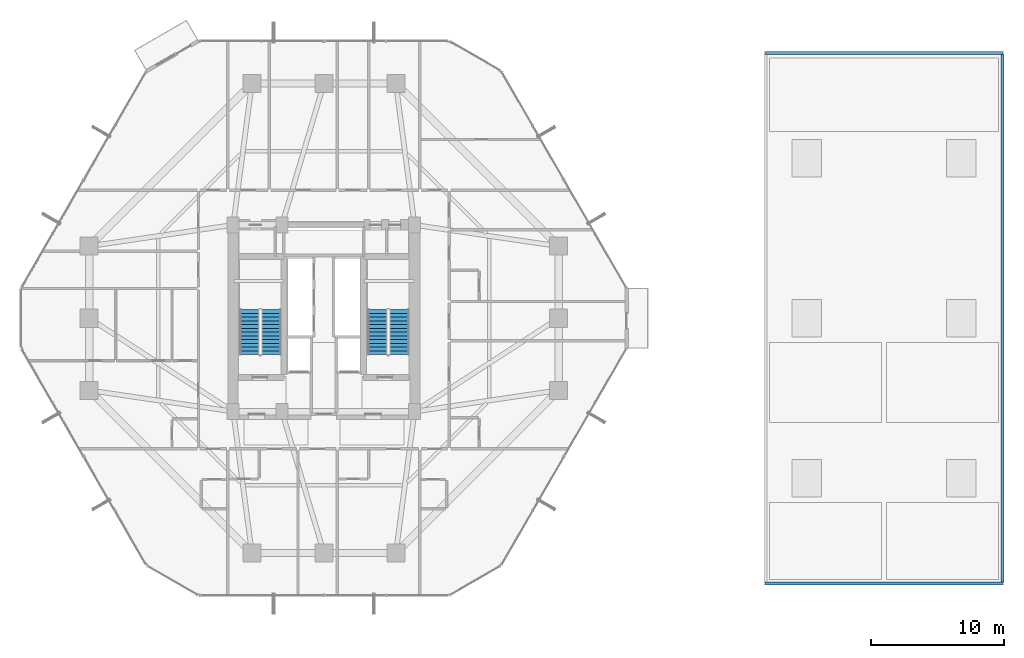
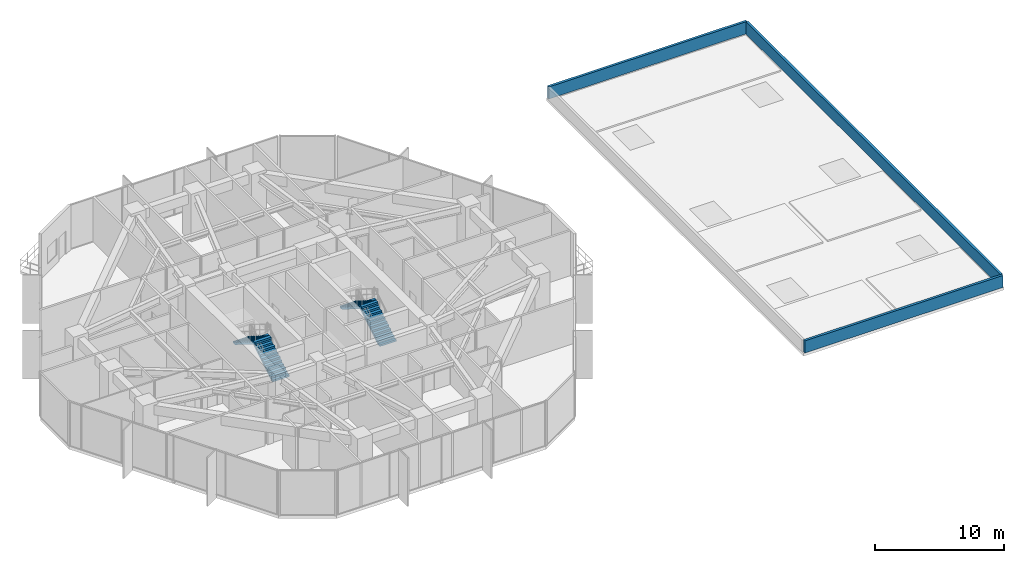
# One storey, part 36 of 39: 4 stair flights, 3 walls, 2 elements without a shape of their own.
"""IFC4 building model written with IfcOpenShell, lengths in metres."""

from ifc_helpers import new_model, si_unit, direction, frame, frame_2d, origin, place, context, subcontext, project, spatial, polyline, rectangle, outline, extrude, material, layer, layer_set, type_object, element, aggregate, save


model = new_model("IFC4")

# Units and contexts
model_context = context("Model", 3, precision=1e-05, world=origin(), true_north=direction((0.0, 1.0)))
body_context = subcontext(model_context, "Body", "Model", "MODEL_VIEW")
ifc_project = project(units=[si_unit("LENGTHUNIT", "METRE"), si_unit("AREAUNIT", "SQUARE_METRE"), si_unit("VOLUMEUNIT", "CUBIC_METRE"), si_unit("PLANEANGLEUNIT", "RADIAN"), si_unit("MASSUNIT", "GRAM", prefix="KILO")], contexts=[model_context])

# Site, building, storey
site_placement = place(None, origin())
site = spatial("IfcSite", under=ifc_project, at=site_placement, CompositionType="ELEMENT")
building_placement = place(site_placement, origin())
building = spatial("IfcBuilding", under=site, at=building_placement, Name="Veraguas Prism Commons", CompositionType="ELEMENT")
storey_placement = place(building_placement, frame((0.0, 0.0, 22.800048828125)))
storey = spatial("IfcBuildingStorey", under=building, at=storey_placement, Name="L05", CompositionType="ELEMENT", Elevation=22.800048828125)

# Walls
ifc_material_1 = material(Name="Precast concrete C40/50", Category="concrete")
ifc_layer = layer(ifc_material_1, 0.219970703125, Name="Roof and Terrace Parapet Wall 220", Category="concrete")
ifc_layer_set = layer_set([ifc_layer], Name="Precast concrete C40/50")
wall_type = type_object("IfcWallType", Name="Roof and Terrace Parapet Wall 220", PredefinedType="PARAPET", material=ifc_layer_set)
wall_1_placement = place(storey_placement, frame((57.110107421875, 4.110107421875, 0.0), z_axis=(0.0, 0.0, 1.0), x_axis=(1.0, 0.0, 0.0)))
element("IfcWall", 1, at=wall_1_placement, inside=storey, type_object=wall_type, Name="Health Centre Roof Parapet S", PredefinedType="PARAPET", context=body_context, shape_type="SweptSolid", body=[
    extrude(rectangle(XDim=17.77978515625, YDim=0.219970703125, at=frame_2d((8.889892578125, 0.0))), origin(), (0.0, 0.0, 1.0), 1.14990234375),
])
wall_2_placement = place(storey_placement, frame((74.889892578125, 4.219970703125, 0.0), z_axis=(0.0, 0.0, 1.0), x_axis=(0.0, 1.0, 0.0)))
element("IfcWall", 2, at=wall_2_placement, inside=storey, type_object=wall_type, Name="Health Centre Roof Parapet E", PredefinedType="PARAPET", context=body_context, shape_type="SweptSolid", body=[
    extrude(rectangle(XDim=39.56005859375, YDim=0.219970703125, at=frame_2d((19.780029296875, 0.0))), origin(), (0.0, 0.0, 1.0), 1.14990234375),
])
wall_3_placement = place(storey_placement, frame((74.889892578125, 43.889892578125, 0.0), z_axis=(0.0, 0.0, 1.0), x_axis=(-1.0, 0.0, 0.0)))
element("IfcWall", 3, at=wall_3_placement, inside=storey, type_object=wall_type, Name="Health Centre Roof Parapet N", PredefinedType="PARAPET", context=body_context, shape_type="SweptSolid", body=[
    extrude(rectangle(XDim=17.77978515625, YDim=0.219970703125, at=frame_2d((8.889892578125, 0.0))), origin(), (0.0, 0.0, 1.0), 1.14990234375),
])

# Stair, stair flights
ifc_material_2 = material(Name="Precast concrete C45/55", Category="concrete")
stair_type = type_object("IfcStairType", Name="Dogleg Core Stair 1480W 26R 04", PredefinedType="HALF_TURN_STAIR", material=ifc_material_2)
stair_1_placement = place(storey_placement, origin())
stair_1 = element("IfcStair", 4, at=stair_1_placement, inside=storey, type_object=stair_type, Name="Protected Exit Stair ST-01 L05", PredefinedType="HALF_TURN_STAIR")
stair_flight_type = type_object("IfcStairFlightType", Name="Precast Stair Flight 1480W 13R 04", PredefinedType="STRAIGHT", material=ifc_material_2)
stair_flight_1_placement = place(storey_placement, frame((20.06005859375, 21.280029296875, 0.0), z_axis=(0.0, 0.0, 1.0), x_axis=(0.0, 1.0, 0.0)))
stair_flight_1 = element("IfcStairFlight", 5, at=stair_flight_1_placement, type_object=stair_flight_type, Name="ST-04 Flight 1", NumberOfRisers=13, NumberOfTreads=12, PredefinedType="STRAIGHT", RiserHeight=0.173076923, TreadLength=0.28, context=body_context, shape_type="SweptSolid", body=[
    extrude(outline(polyline([(0.0, 0.0), (0.0, 0.173095703125), (0.280029296875, 0.173095703125), (0.280029296875, 0.34619140625), (0.56005859375, 0.34619140625), (0.56005859375, 0.519287109375), (0.840087890625, 0.519287109375), (0.840087890625, 0.6923828125), (1.1201171875, 0.6923828125), (1.1201171875, 0.865478515625), (1.39990234375, 0.865478515625), (1.39990234375, 1.03857421875), (1.679931640625, 1.03857421875), (1.679931640625, 1.21142578125), (1.9599609375, 1.21142578125), (1.9599609375, 1.384521484375), (2.239990234375, 1.384521484375), (2.239990234375, 1.5576171875), (2.52001953125, 1.5576171875), (2.52001953125, 1.730712890625), (2.800048828125, 1.730712890625), (2.800048828125, 1.90380859375), (3.080078125, 1.90380859375), (3.080078125, 2.076904296875), (3.360107421875, 2.076904296875), (3.360107421875, 2.25), (3.360107421875, 1.900634765625), (0.28515625, 0.0), (0.0, 0.0)])), frame((0.0, 0.739990234375, 0.0), z_axis=(0.0, -1.0, 0.0), x_axis=(1.0, 0.0, 0.0)), (0.0, 0.0, 1.0), 1.47998046875),
])
stair_flight_2_placement = place(storey_placement, frame((18.429931640625, 24.639892578125, 2.25), z_axis=(0.0, 0.0, 1.0), x_axis=(0.0, -1.0, 0.0)))
stair_flight_2 = element("IfcStairFlight", 6, at=stair_flight_2_placement, type_object=stair_flight_type, Name="ST-04 Flight 2", NumberOfRisers=13, NumberOfTreads=12, PredefinedType="STRAIGHT", RiserHeight=0.173076923, TreadLength=0.28, context=body_context, shape_type="SweptSolid", body=[
    extrude(outline(polyline([(0.0, 0.0), (0.0, 0.173095703125), (0.280029296875, 0.173095703125), (0.280029296875, 0.34619140625), (0.56005859375, 0.34619140625), (0.56005859375, 0.519287109375), (0.840087890625, 0.519287109375), (0.840087890625, 0.6923828125), (1.1201171875, 0.6923828125), (1.1201171875, 0.865478515625), (1.39990234375, 0.865478515625), (1.39990234375, 1.03857421875), (1.679931640625, 1.03857421875), (1.679931640625, 1.21142578125), (1.9599609375, 1.21142578125), (1.9599609375, 1.384521484375), (2.239990234375, 1.384521484375), (2.239990234375, 1.5576171875), (2.52001953125, 1.5576171875), (2.52001953125, 1.730712890625), (2.800048828125, 1.730712890625), (2.800048828125, 1.90380859375), (3.080078125, 1.90380859375), (3.080078125, 2.076904296875), (3.360107421875, 2.076904296875), (3.360107421875, 2.25), (3.360107421875, 1.900634765625), (0.28515625, 0.0), (0.0, 0.0)])), frame((0.0, 0.739990234375, 0.0), z_axis=(0.0, -1.0, 0.0), x_axis=(1.0, 0.0, 0.0)), (0.0, 0.0, 1.0), 1.47998046875),
])
aggregate(stair_1, [stair_flight_1, stair_flight_2])

stair_2_placement = place(storey_placement, origin())
stair_2 = element("IfcStair", 7, at=stair_2_placement, inside=storey, type_object=stair_type, Name="Protected Exit Stair ST-02 L05", PredefinedType="HALF_TURN_STAIR")
stair_flight_3_placement = place(storey_placement, frame((29.659912109375, 21.280029296875, 0.0), z_axis=(0.0, 0.0, 1.0), x_axis=(0.0, 1.0, 0.0)))
stair_flight_3 = element("IfcStairFlight", 8, at=stair_flight_3_placement, type_object=stair_flight_type, Name="ST-04 Flight 1", NumberOfRisers=13, NumberOfTreads=12, PredefinedType="STRAIGHT", RiserHeight=0.173076923, TreadLength=0.28, context=body_context, shape_type="SweptSolid", body=[
    extrude(outline(polyline([(0.0, 0.0), (0.0, 0.173095703125), (0.280029296875, 0.173095703125), (0.280029296875, 0.34619140625), (0.56005859375, 0.34619140625), (0.56005859375, 0.519287109375), (0.840087890625, 0.519287109375), (0.840087890625, 0.6923828125), (1.1201171875, 0.6923828125), (1.1201171875, 0.865478515625), (1.39990234375, 0.865478515625), (1.39990234375, 1.03857421875), (1.679931640625, 1.03857421875), (1.679931640625, 1.21142578125), (1.9599609375, 1.21142578125), (1.9599609375, 1.384521484375), (2.239990234375, 1.384521484375), (2.239990234375, 1.5576171875), (2.52001953125, 1.5576171875), (2.52001953125, 1.730712890625), (2.800048828125, 1.730712890625), (2.800048828125, 1.90380859375), (3.080078125, 1.90380859375), (3.080078125, 2.076904296875), (3.360107421875, 2.076904296875), (3.360107421875, 2.25), (3.360107421875, 1.900634765625), (0.28515625, 0.0), (0.0, 0.0)])), frame((0.0, 0.739990234375, 0.0), z_axis=(0.0, -1.0, 0.0), x_axis=(1.0, 0.0, 0.0)), (0.0, 0.0, 1.0), 1.47998046875),
])
stair_flight_4_placement = place(storey_placement, frame((28.030029296875, 24.639892578125, 2.25), z_axis=(0.0, 0.0, 1.0), x_axis=(0.0, -1.0, 0.0)))
stair_flight_4 = element("IfcStairFlight", 9, at=stair_flight_4_placement, type_object=stair_flight_type, Name="ST-04 Flight 2", NumberOfRisers=13, NumberOfTreads=12, PredefinedType="STRAIGHT", RiserHeight=0.173076923, TreadLength=0.28, context=body_context, shape_type="SweptSolid", body=[
    extrude(outline(polyline([(0.0, 0.0), (0.0, 0.173095703125), (0.280029296875, 0.173095703125), (0.280029296875, 0.34619140625), (0.56005859375, 0.34619140625), (0.56005859375, 0.519287109375), (0.840087890625, 0.519287109375), (0.840087890625, 0.6923828125), (1.1201171875, 0.6923828125), (1.1201171875, 0.865478515625), (1.39990234375, 0.865478515625), (1.39990234375, 1.03857421875), (1.679931640625, 1.03857421875), (1.679931640625, 1.21142578125), (1.9599609375, 1.21142578125), (1.9599609375, 1.384521484375), (2.239990234375, 1.384521484375), (2.239990234375, 1.5576171875), (2.52001953125, 1.5576171875), (2.52001953125, 1.730712890625), (2.800048828125, 1.730712890625), (2.800048828125, 1.90380859375), (3.080078125, 1.90380859375), (3.080078125, 2.076904296875), (3.360107421875, 2.076904296875), (3.360107421875, 2.25), (3.360107421875, 1.900634765625), (0.28515625, 0.0), (0.0, 0.0)])), frame((0.0, 0.739990234375, 0.0), z_axis=(0.0, -1.0, 0.0), x_axis=(1.0, 0.0, 0.0)), (0.0, 0.0, 1.0), 1.47998046875),
])
aggregate(stair_2, [stair_flight_3, stair_flight_4])

save(model, "model.ifc")
